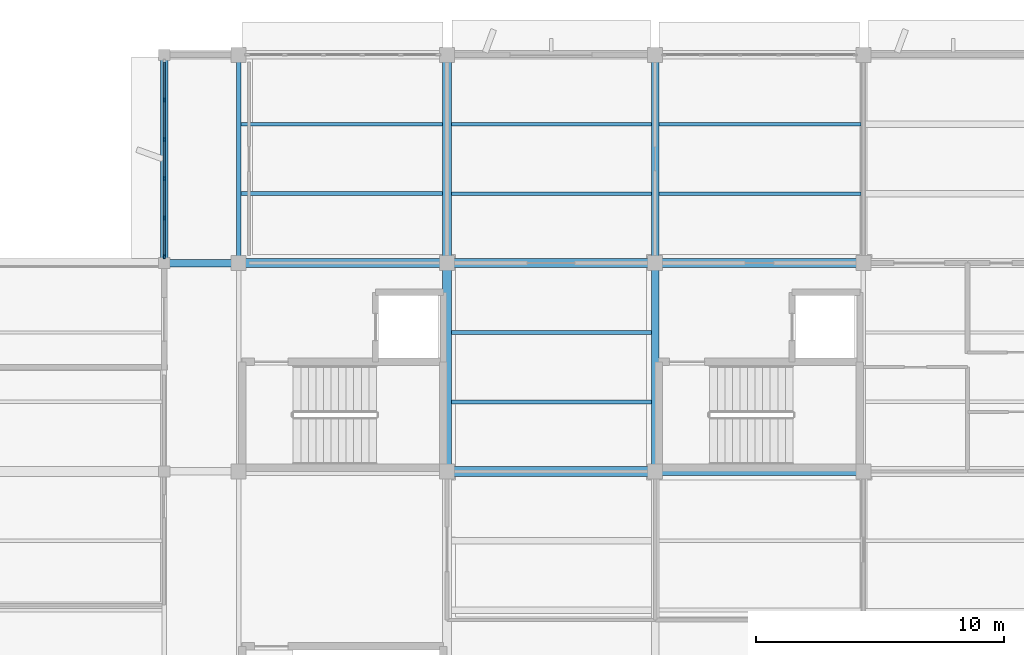
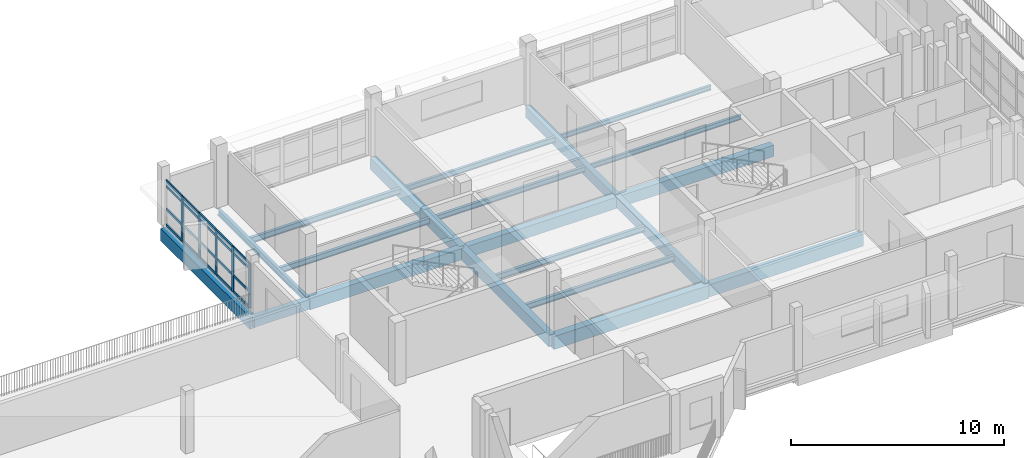
# One storey, part 12 of 42: 25 members, 20 beams, 1 element without a shape of its own.
"""IFC4 building model written with IfcOpenShell, lengths in metres."""

from ifc_helpers import new_model, si_unit, direction, frame, origin, origin_2d, place, context, subcontext, project, spatial, rectangle, i_section, extrude, material, material_profile, profile_set, type_object, element, aggregate, save


model = new_model("IFC4")

# Units and contexts
model_context = context("Model", 3, precision=1e-05, world=origin(), true_north=direction((0.0, 1.0)))
body_context = subcontext(model_context, "Body", "Model", "MODEL_VIEW")
ifc_project = project(units=[si_unit("LENGTHUNIT", "METRE"), si_unit("AREAUNIT", "SQUARE_METRE"), si_unit("VOLUMEUNIT", "CUBIC_METRE"), si_unit("PLANEANGLEUNIT", "RADIAN"), si_unit("MASSUNIT", "GRAM", prefix="KILO")], contexts=[model_context])

# Site, building, storey
site_placement = place(None, origin())
site = spatial("IfcSite", under=ifc_project, at=site_placement, CompositionType="ELEMENT")
building_placement = place(site_placement, origin())
building = spatial("IfcBuilding", under=site, at=building_placement, Name="Vanh Quang Courtyard School", CompositionType="ELEMENT")
storey_placement = place(building_placement, frame((0.0, 0.0, 15.0)))
storey = spatial("IfcBuildingStorey", under=building, at=storey_placement, Name="L04", CompositionType="ELEMENT", Elevation=15.0)

# Beams
ifc_material_1 = material(Name="Concrete C35/45", Category="concrete")
ifc_material_profile_1 = material_profile(ifc_material_1, rectangle(XDim=0.300048828125, YDim=0.550048828125, at=origin_2d()), Name="RC-BM 300x550")
ifc_profile_set_1 = profile_set([ifc_material_profile_1], Name="Concrete C35/45")
beam_type_1 = type_object("IfcBeamType", Name="BM-RC-300x550", PredefinedType="BEAM", material=ifc_profile_set_1)
beam_1_placement = place(storey_placement, frame((74.39990234375, 88.199951171875, -0.594970703125), z_axis=(1.0, 0.0, 0.0), x_axis=(0.0, 1.0, 0.0)))
element("IfcBeam", 1, at=beam_1_placement, inside=storey, type_object=beam_type_1, Name="Beam B-07 (L04)", PredefinedType="BEAM", context=body_context, shape_type="SweptSolid", body=[
    extrude(rectangle(XDim=0.300048828125, YDim=0.550048828125, at=origin_2d()), origin(), (0.0, 0.0, 1.0), 3.0),
])
ifc_material_profile_2 = material_profile(ifc_material_1, rectangle(XDim=0.300048828125, YDim=0.60009765625, at=origin_2d()), Name="RC-BM 300x600")
ifc_profile_set_2 = profile_set([ifc_material_profile_2], Name="Concrete C35/45")
beam_type_2 = type_object("IfcBeamType", Name="BM-RC-300x600", PredefinedType="BEAM", material=ifc_profile_set_2)
beam_2_placement = place(storey_placement, frame((94.199951171875, 79.800048828125, -0.56005859375), z_axis=(0.0, 1.0, 0.0), x_axis=(-1.0, 0.0, 0.0)))
element("IfcBeam", 2, at=beam_2_placement, inside=storey, type_object=beam_type_2, Name="Beam B-06 (L04)", PredefinedType="BEAM", context=body_context, shape_type="SweptSolid", body=[
    extrude(rectangle(XDim=0.300048828125, YDim=0.60009765625, at=origin_2d()), origin(), (0.0, 0.0, 1.0), 8.39990234375),
])
beam_3_placement = place(storey_placement, frame((94.199951171875, 88.199951171875, -0.56005859375), z_axis=(0.0, 1.0, 0.0), x_axis=(-1.0, 0.0, 0.0)))
element("IfcBeam", 3, at=beam_3_placement, inside=storey, type_object=beam_type_2, Name="Beam B-06 (L04)", PredefinedType="BEAM", context=body_context, shape_type="SweptSolid", body=[
    extrude(rectangle(XDim=0.300048828125, YDim=0.60009765625, at=origin_2d()), origin(), (0.0, 0.0, 1.0), 8.400146484375),
])
ifc_material_profile_3 = material_profile(ifc_material_1, rectangle(XDim=0.35009765625, YDim=0.64990234375, at=origin_2d()), Name="RC-BM 350x650")
ifc_profile_set_3 = profile_set([ifc_material_profile_3], Name="Concrete C35/45")
beam_type_3 = type_object("IfcBeamType", Name="BM-RC-350x650", PredefinedType="BEAM", material=ifc_profile_set_3)
beam_4_placement = place(storey_placement, frame((77.39990234375, 88.199951171875, -0.5849609375), z_axis=(1.0, 0.0, 0.0), x_axis=(0.0, 1.0, 0.0)))
element("IfcBeam", 4, at=beam_4_placement, inside=storey, type_object=beam_type_3, Name="Beam B-05 (L04)", PredefinedType="BEAM", context=body_context, shape_type="SweptSolid", body=[
    extrude(rectangle(XDim=0.35009765625, YDim=0.64990234375, at=origin_2d()), origin(), (0.0, 0.0, 1.0), 8.400146484375),
])
beam_5_placement = place(storey_placement, frame((85.800048828125, 88.199951171875, -0.5849609375), z_axis=(1.0, 0.0, 0.0), x_axis=(0.0, 1.0, 0.0)))
element("IfcBeam", 5, at=beam_5_placement, inside=storey, type_object=beam_type_3, Name="Beam B-05 (L04)", PredefinedType="BEAM", context=body_context, shape_type="SweptSolid", body=[
    extrude(rectangle(XDim=0.35009765625, YDim=0.64990234375, at=origin_2d()), origin(), (0.0, 0.0, 1.0), 8.39990234375),
])
beam_6_placement = place(storey_placement, frame((94.199951171875, 88.199951171875, -0.5849609375), z_axis=(1.0, 0.0, 0.0), x_axis=(0.0, 1.0, 0.0)))
element("IfcBeam", 6, at=beam_6_placement, inside=storey, type_object=beam_type_3, Name="Beam B-05 (L04)", PredefinedType="BEAM", context=body_context, shape_type="SweptSolid", body=[
    extrude(rectangle(XDim=0.35009765625, YDim=0.64990234375, at=origin_2d()), origin(), (0.0, 0.0, 1.0), 8.400146484375),
])
beam_7_placement = place(storey_placement, frame((85.800048828125, 79.800048828125, -0.5849609375), z_axis=(0.0, 1.0, 0.0), x_axis=(-1.0, 0.0, 0.0)))
element("IfcBeam", 7, at=beam_7_placement, inside=storey, type_object=beam_type_3, Name="Beam B-05 (L04)", PredefinedType="BEAM", context=body_context, shape_type="SweptSolid", body=[
    extrude(rectangle(XDim=0.35009765625, YDim=0.64990234375, at=origin_2d()), origin(), (0.0, 0.0, 1.0), 8.39990234375),
])
beam_8_placement = place(storey_placement, frame((85.800048828125, 88.199951171875, -0.5849609375), z_axis=(0.0, 1.0, 0.0), x_axis=(-1.0, 0.0, 0.0)))
element("IfcBeam", 8, at=beam_8_placement, inside=storey, type_object=beam_type_3, Name="Beam B-05 (L04)", PredefinedType="BEAM", context=body_context, shape_type="SweptSolid", body=[
    extrude(rectangle(XDim=0.35009765625, YDim=0.64990234375, at=origin_2d()), origin(), (0.0, 0.0, 1.0), 8.400146484375),
])
ifc_material_profile_4 = material_profile(ifc_material_1, rectangle(XDim=0.35009765625, YDim=0.699951171875, at=origin_2d()), Name="RC-BM 350x700")
ifc_profile_set_4 = profile_set([ifc_material_profile_4], Name="Concrete C35/45")
beam_type_4 = type_object("IfcBeamType", Name="BM-RC-350x700", PredefinedType="BEAM", material=ifc_profile_set_4)
beam_9_placement = place(storey_placement, frame((94.199951171875, 79.800048828125, -0.610107421875), z_axis=(1.0, 0.0, 0.0), x_axis=(0.0, 1.0, 0.0)))
element("IfcBeam", 9, at=beam_9_placement, inside=storey, type_object=beam_type_4, Name="Beam B-04 (L04)", PredefinedType="BEAM", context=body_context, shape_type="SweptSolid", body=[
    extrude(rectangle(XDim=0.35009765625, YDim=0.699951171875, at=origin_2d()), origin(), (0.0, 0.0, 1.0), 8.400146484375),
])
ifc_material_profile_5 = material_profile(ifc_material_1, rectangle(XDim=0.39990234375, YDim=0.75, at=origin_2d()), Name="RC-BM 400x750")
ifc_profile_set_5 = profile_set([ifc_material_profile_5], Name="Concrete C35/45")
beam_type_5 = type_object("IfcBeamType", Name="BM-RC-400x750", PredefinedType="BEAM", material=ifc_profile_set_5)
beam_10_placement = place(storey_placement, frame((85.800048828125, 79.800048828125, -0.635009765625), z_axis=(1.0, 0.0, 0.0), x_axis=(0.0, 1.0, 0.0)))
element("IfcBeam", 10, at=beam_10_placement, inside=storey, type_object=beam_type_5, Name="Beam B-03 (L04)", PredefinedType="BEAM", context=body_context, shape_type="SweptSolid", body=[
    extrude(rectangle(XDim=0.39990234375, YDim=0.75, at=origin_2d()), origin(), (0.0, 0.0, 1.0), 8.39990234375),
])
ifc_material_profile_6 = material_profile(ifc_material_1, rectangle(XDim=0.300048828125, YDim=0.699951171875, at=origin_2d()), Name="RC-SP 300x700")
ifc_profile_set_6 = profile_set([ifc_material_profile_6], Name="Concrete C35/45")
beam_type_6 = type_object("IfcBeamType", Name="BM-SP-300x700", PredefinedType="SPANDREL", material=ifc_profile_set_6)
beam_11_placement = place(storey_placement, frame((74.39990234375, 88.199951171875, -0.669921875), z_axis=(0.0, 1.0, 0.0), x_axis=(-1.0, 0.0, 0.0)))
element("IfcBeam", 11, at=beam_11_placement, inside=storey, type_object=beam_type_6, Name="Beam BS-01 (L04)", PredefinedType="SPANDREL", context=body_context, shape_type="SweptSolid", body=[
    extrude(rectangle(XDim=0.300048828125, YDim=0.699951171875, at=origin_2d()), origin(), (0.0, 0.0, 1.0), 8.400146484375),
])
ifc_material_2 = material(Name="Structural steel EN 10025-2 S355J2", Category="steel")
ifc_material_profile_7 = material_profile(ifc_material_2, i_section(OverallWidth=0.169921875, OverallDepth=0.360107421875, WebThickness=0.008056640625, FlangeThickness=0.0126953125, FilletRadius=0.01806640625, at=origin_2d()), Name="IPE 360")
ifc_profile_set_7 = profile_set([ifc_material_profile_7], Name="Structural steel EN 10025-2 S355J2")
beam_type_7 = type_object("IfcBeamType", Name="BM-STL-IPE360", PredefinedType="BEAM", material=ifc_profile_set_7)
beam_12_placement = place(storey_placement, frame((77.39990234375, 88.199951171875, -0.43994140625), z_axis=(0.0, 1.0, 0.0), x_axis=(-1.0, 0.0, 0.0)))
element("IfcBeam", 12, at=beam_12_placement, inside=storey, type_object=beam_type_7, Name="Beam SB-06 (L04)", PredefinedType="BEAM", context=body_context, shape_type="SweptSolid", body=[
    extrude(i_section(OverallWidth=0.169921875, OverallDepth=0.360107421875, WebThickness=0.008056640625, FlangeThickness=0.0126953125, FilletRadius=0.01806640625, at=origin_2d()), origin(), (0.0, 0.0, 1.0), 8.400146484375),
])

# Curtain wall, members
ifc_material_3 = material(Name="Thermally broken aluminium unitised curtain wall", Category="aluminium")
curtain_wall_type = type_object("IfcCurtainWallType", Name="CW-SYS-19", PredefinedType="NOTDEFINED", material=ifc_material_3)
curtain_wall_placement = place(storey_placement, origin())
curtain_wall = element("IfcCurtainWall", 13, at=curtain_wall_placement, inside=storey, type_object=curtain_wall_type, Name="Curtain Wall CW-19 (L04)", PredefinedType="NOTDEFINED")
ifc_material_4 = material(Name="Anodised aluminium 6063-T6", Category="aluminium")
ifc_material_profile_8 = material_profile(ifc_material_4, rectangle(XDim=0.070068359375, YDim=0.179931640625, at=origin_2d()), Name="ALU-MUL 70x180")
ifc_profile_set_8 = profile_set([ifc_material_profile_8], Name="Anodised aluminium 6063-T6")
member_type_1 = type_object("IfcMemberType", Name="CW-MUL-70x180", PredefinedType="MULLION", material=ifc_profile_set_8)
member_1_placement = place(storey_placement, frame((74.39990234375, 88.468017578125, 0.0), z_axis=(0.0, 0.0, 1.0), x_axis=(-1.0, 0.0, 0.0)))
member_1 = element("IfcMember", 14, at=member_1_placement, type_object=member_type_1, Name="CW-19 mullion 1", PredefinedType="MULLION", context=body_context, shape_type="SweptSolid", body=[
    extrude(rectangle(XDim=0.070068359375, YDim=0.179931640625, at=origin_2d()), origin(), (0.0, 0.0, 1.0), 2.580078125),
])
member_2_placement = place(storey_placement, frame((74.39990234375, 90.019775390625, 0.0), z_axis=(0.0, 0.0, 1.0), x_axis=(-1.0, 0.0, 0.0)))
member_2 = element("IfcMember", 15, at=member_2_placement, type_object=member_type_1, Name="CW-19 mullion 2", PredefinedType="MULLION", context=body_context, shape_type="SweptSolid", body=[
    extrude(rectangle(XDim=0.070068359375, YDim=0.179931640625, at=origin_2d()), origin(), (0.0, 0.0, 1.0), 2.580078125),
])
member_3_placement = place(storey_placement, frame((74.39990234375, 91.606689453125, 0.0), z_axis=(0.0, 0.0, 1.0), x_axis=(-1.0, 0.0, 0.0)))
member_3 = element("IfcMember", 16, at=member_3_placement, type_object=member_type_1, Name="CW-19 mullion 3", PredefinedType="MULLION", context=body_context, shape_type="SweptSolid", body=[
    extrude(rectangle(XDim=0.070068359375, YDim=0.179931640625, at=origin_2d()), origin(), (0.0, 0.0, 1.0), 2.580078125),
])
member_4_placement = place(storey_placement, frame((74.39990234375, 93.193359375, 0.0), z_axis=(0.0, 0.0, 1.0), x_axis=(-1.0, 0.0, 0.0)))
member_4 = element("IfcMember", 17, at=member_4_placement, type_object=member_type_1, Name="CW-19 mullion 4", PredefinedType="MULLION", context=body_context, shape_type="SweptSolid", body=[
    extrude(rectangle(XDim=0.070068359375, YDim=0.179931640625, at=origin_2d()), origin(), (0.0, 0.0, 1.0), 2.580078125),
])
member_5_placement = place(storey_placement, frame((74.39990234375, 94.7802734375, 0.0), z_axis=(0.0, 0.0, 1.0), x_axis=(-1.0, 0.0, 0.0)))
member_5 = element("IfcMember", 18, at=member_5_placement, type_object=member_type_1, Name="CW-19 mullion 5", PredefinedType="MULLION", context=body_context, shape_type="SweptSolid", body=[
    extrude(rectangle(XDim=0.070068359375, YDim=0.179931640625, at=origin_2d()), origin(), (0.0, 0.0, 1.0), 2.580078125),
])
ifc_material_profile_9 = material_profile(ifc_material_4, rectangle(XDim=0.070068359375, YDim=0.139892578125, at=origin_2d()), Name="ALU-TRN 70x140")
ifc_profile_set_9 = profile_set([ifc_material_profile_9], Name="Anodised aluminium 6063-T6")
member_type_2 = type_object("IfcMemberType", Name="CW-TRN-70x140", PredefinedType="USERDEFINED", material=ifc_profile_set_9)
member_6_placement = place(storey_placement, frame((74.39990234375, 88.5029296875, 0.034912109375), z_axis=(0.0, 1.0, 0.0), x_axis=(-1.0, 0.0, 0.0)))
member_6 = element("IfcMember", 19, at=member_6_placement, type_object=member_type_2, Name="CW-19 transom 1.1", ObjectType="TRANSOM", PredefinedType="USERDEFINED", context=body_context, shape_type="SweptSolid", body=[
    extrude(rectangle(XDim=0.070068359375, YDim=0.139892578125, at=origin_2d()), origin(), (0.0, 0.0, 1.0), 1.48193359375),
])
member_7_placement = place(storey_placement, frame((74.39990234375, 88.5029296875, 0.949951171875), z_axis=(0.0, 1.0, 0.0), x_axis=(-1.0, 0.0, 0.0)))
member_7 = element("IfcMember", 20, at=member_7_placement, type_object=member_type_2, Name="CW-19 transom 1.2", ObjectType="TRANSOM", PredefinedType="USERDEFINED", context=body_context, shape_type="SweptSolid", body=[
    extrude(rectangle(XDim=0.070068359375, YDim=0.139892578125, at=origin_2d()), origin(), (0.0, 0.0, 1.0), 1.48193359375),
])
member_8_placement = place(storey_placement, frame((74.39990234375, 88.5029296875, 2.25), z_axis=(0.0, 1.0, 0.0), x_axis=(-1.0, 0.0, 0.0)))
member_8 = element("IfcMember", 21, at=member_8_placement, type_object=member_type_2, Name="CW-19 transom 1.3", ObjectType="TRANSOM", PredefinedType="USERDEFINED", context=body_context, shape_type="SweptSolid", body=[
    extrude(rectangle(XDim=0.070068359375, YDim=0.139892578125, at=origin_2d()), origin(), (0.0, 0.0, 1.0), 1.48193359375),
])
member_9_placement = place(storey_placement, frame((74.39990234375, 88.5029296875, 2.544921875), z_axis=(0.0, 1.0, 0.0), x_axis=(-1.0, 0.0, 0.0)))
member_9 = element("IfcMember", 22, at=member_9_placement, type_object=member_type_2, Name="CW-19 transom 1.4", ObjectType="TRANSOM", PredefinedType="USERDEFINED", context=body_context, shape_type="SweptSolid", body=[
    extrude(rectangle(XDim=0.070068359375, YDim=0.139892578125, at=origin_2d()), origin(), (0.0, 0.0, 1.0), 1.48193359375),
])
member_10_placement = place(storey_placement, frame((74.39990234375, 90.0546875, 0.034912109375), z_axis=(0.0, 1.0, 0.0), x_axis=(-1.0, 0.0, 0.0)))
member_10 = element("IfcMember", 23, at=member_10_placement, type_object=member_type_2, Name="CW-19 transom 2.1", ObjectType="TRANSOM", PredefinedType="USERDEFINED", context=body_context, shape_type="SweptSolid", body=[
    extrude(rectangle(XDim=0.070068359375, YDim=0.139892578125, at=origin_2d()), origin(), (0.0, 0.0, 1.0), 1.516845703125),
])
member_11_placement = place(storey_placement, frame((74.39990234375, 90.0546875, 0.949951171875), z_axis=(0.0, 1.0, 0.0), x_axis=(-1.0, 0.0, 0.0)))
member_11 = element("IfcMember", 24, at=member_11_placement, type_object=member_type_2, Name="CW-19 transom 2.2", ObjectType="TRANSOM", PredefinedType="USERDEFINED", context=body_context, shape_type="SweptSolid", body=[
    extrude(rectangle(XDim=0.070068359375, YDim=0.139892578125, at=origin_2d()), origin(), (0.0, 0.0, 1.0), 1.516845703125),
])
member_12_placement = place(storey_placement, frame((74.39990234375, 90.0546875, 2.25), z_axis=(0.0, 1.0, 0.0), x_axis=(-1.0, 0.0, 0.0)))
member_12 = element("IfcMember", 25, at=member_12_placement, type_object=member_type_2, Name="CW-19 transom 2.3", ObjectType="TRANSOM", PredefinedType="USERDEFINED", context=body_context, shape_type="SweptSolid", body=[
    extrude(rectangle(XDim=0.070068359375, YDim=0.139892578125, at=origin_2d()), origin(), (0.0, 0.0, 1.0), 1.516845703125),
])
member_13_placement = place(storey_placement, frame((74.39990234375, 90.0546875, 2.544921875), z_axis=(0.0, 1.0, 0.0), x_axis=(-1.0, 0.0, 0.0)))
member_13 = element("IfcMember", 26, at=member_13_placement, type_object=member_type_2, Name="CW-19 transom 2.4", ObjectType="TRANSOM", PredefinedType="USERDEFINED", context=body_context, shape_type="SweptSolid", body=[
    extrude(rectangle(XDim=0.070068359375, YDim=0.139892578125, at=origin_2d()), origin(), (0.0, 0.0, 1.0), 1.516845703125),
])
member_14_placement = place(storey_placement, frame((74.39990234375, 91.6416015625, 0.034912109375), z_axis=(0.0, 1.0, 0.0), x_axis=(-1.0, 0.0, 0.0)))
member_14 = element("IfcMember", 27, at=member_14_placement, type_object=member_type_2, Name="CW-19 transom 3.1", ObjectType="TRANSOM", PredefinedType="USERDEFINED", context=body_context, shape_type="SweptSolid", body=[
    extrude(rectangle(XDim=0.070068359375, YDim=0.139892578125, at=origin_2d()), origin(), (0.0, 0.0, 1.0), 1.516845703125),
])
member_15_placement = place(storey_placement, frame((74.39990234375, 91.6416015625, 0.949951171875), z_axis=(0.0, 1.0, 0.0), x_axis=(-1.0, 0.0, 0.0)))
member_15 = element("IfcMember", 28, at=member_15_placement, type_object=member_type_2, Name="CW-19 transom 3.2", ObjectType="TRANSOM", PredefinedType="USERDEFINED", context=body_context, shape_type="SweptSolid", body=[
    extrude(rectangle(XDim=0.070068359375, YDim=0.139892578125, at=origin_2d()), origin(), (0.0, 0.0, 1.0), 1.516845703125),
])
member_16_placement = place(storey_placement, frame((74.39990234375, 91.6416015625, 2.25), z_axis=(0.0, 1.0, 0.0), x_axis=(-1.0, 0.0, 0.0)))
member_16 = element("IfcMember", 29, at=member_16_placement, type_object=member_type_2, Name="CW-19 transom 3.3", ObjectType="TRANSOM", PredefinedType="USERDEFINED", context=body_context, shape_type="SweptSolid", body=[
    extrude(rectangle(XDim=0.070068359375, YDim=0.139892578125, at=origin_2d()), origin(), (0.0, 0.0, 1.0), 1.516845703125),
])
member_17_placement = place(storey_placement, frame((74.39990234375, 91.6416015625, 2.544921875), z_axis=(0.0, 1.0, 0.0), x_axis=(-1.0, 0.0, 0.0)))
member_17 = element("IfcMember", 30, at=member_17_placement, type_object=member_type_2, Name="CW-19 transom 3.4", ObjectType="TRANSOM", PredefinedType="USERDEFINED", context=body_context, shape_type="SweptSolid", body=[
    extrude(rectangle(XDim=0.070068359375, YDim=0.139892578125, at=origin_2d()), origin(), (0.0, 0.0, 1.0), 1.516845703125),
])
member_18_placement = place(storey_placement, frame((74.39990234375, 93.228515625, 0.034912109375), z_axis=(0.0, 1.0, 0.0), x_axis=(-1.0, 0.0, 0.0)))
member_18 = element("IfcMember", 31, at=member_18_placement, type_object=member_type_2, Name="CW-19 transom 4.1", ObjectType="TRANSOM", PredefinedType="USERDEFINED", context=body_context, shape_type="SweptSolid", body=[
    extrude(rectangle(XDim=0.070068359375, YDim=0.139892578125, at=origin_2d()), origin(), (0.0, 0.0, 1.0), 1.5166015625),
])
member_19_placement = place(storey_placement, frame((74.39990234375, 93.228515625, 0.949951171875), z_axis=(0.0, 1.0, 0.0), x_axis=(-1.0, 0.0, 0.0)))
member_19 = element("IfcMember", 32, at=member_19_placement, type_object=member_type_2, Name="CW-19 transom 4.2", ObjectType="TRANSOM", PredefinedType="USERDEFINED", context=body_context, shape_type="SweptSolid", body=[
    extrude(rectangle(XDim=0.070068359375, YDim=0.139892578125, at=origin_2d()), origin(), (0.0, 0.0, 1.0), 1.5166015625),
])
member_20_placement = place(storey_placement, frame((74.39990234375, 93.228515625, 2.25), z_axis=(0.0, 1.0, 0.0), x_axis=(-1.0, 0.0, 0.0)))
member_20 = element("IfcMember", 33, at=member_20_placement, type_object=member_type_2, Name="CW-19 transom 4.3", ObjectType="TRANSOM", PredefinedType="USERDEFINED", context=body_context, shape_type="SweptSolid", body=[
    extrude(rectangle(XDim=0.070068359375, YDim=0.139892578125, at=origin_2d()), origin(), (0.0, 0.0, 1.0), 1.5166015625),
])
member_21_placement = place(storey_placement, frame((74.39990234375, 93.228515625, 2.544921875), z_axis=(0.0, 1.0, 0.0), x_axis=(-1.0, 0.0, 0.0)))
member_21 = element("IfcMember", 34, at=member_21_placement, type_object=member_type_2, Name="CW-19 transom 4.4", ObjectType="TRANSOM", PredefinedType="USERDEFINED", context=body_context, shape_type="SweptSolid", body=[
    extrude(rectangle(XDim=0.070068359375, YDim=0.139892578125, at=origin_2d()), origin(), (0.0, 0.0, 1.0), 1.5166015625),
])
member_22_placement = place(storey_placement, frame((74.39990234375, 94.815185546875, 0.034912109375), z_axis=(0.0, 1.0, 0.0), x_axis=(-1.0, 0.0, 0.0)))
member_22 = element("IfcMember", 35, at=member_22_placement, type_object=member_type_2, Name="CW-19 transom 5.1", ObjectType="TRANSOM", PredefinedType="USERDEFINED", context=body_context, shape_type="SweptSolid", body=[
    extrude(rectangle(XDim=0.070068359375, YDim=0.139892578125, at=origin_2d()), origin(), (0.0, 0.0, 1.0), 1.48193359375),
])
member_23_placement = place(storey_placement, frame((74.39990234375, 94.815185546875, 0.949951171875), z_axis=(0.0, 1.0, 0.0), x_axis=(-1.0, 0.0, 0.0)))
member_23 = element("IfcMember", 36, at=member_23_placement, type_object=member_type_2, Name="CW-19 transom 5.2", ObjectType="TRANSOM", PredefinedType="USERDEFINED", context=body_context, shape_type="SweptSolid", body=[
    extrude(rectangle(XDim=0.070068359375, YDim=0.139892578125, at=origin_2d()), origin(), (0.0, 0.0, 1.0), 1.48193359375),
])
member_24_placement = place(storey_placement, frame((74.39990234375, 94.815185546875, 2.25), z_axis=(0.0, 1.0, 0.0), x_axis=(-1.0, 0.0, 0.0)))
member_24 = element("IfcMember", 37, at=member_24_placement, type_object=member_type_2, Name="CW-19 transom 5.3", ObjectType="TRANSOM", PredefinedType="USERDEFINED", context=body_context, shape_type="SweptSolid", body=[
    extrude(rectangle(XDim=0.070068359375, YDim=0.139892578125, at=origin_2d()), origin(), (0.0, 0.0, 1.0), 1.48193359375),
])
member_25_placement = place(storey_placement, frame((74.39990234375, 94.815185546875, 2.544921875), z_axis=(0.0, 1.0, 0.0), x_axis=(-1.0, 0.0, 0.0)))
member_25 = element("IfcMember", 38, at=member_25_placement, type_object=member_type_2, Name="CW-19 transom 5.4", ObjectType="TRANSOM", PredefinedType="USERDEFINED", context=body_context, shape_type="SweptSolid", body=[
    extrude(rectangle(XDim=0.070068359375, YDim=0.139892578125, at=origin_2d()), origin(), (0.0, 0.0, 1.0), 1.48193359375),
])
aggregate(curtain_wall, [member_1, member_2, member_3, member_4, member_5, member_6, member_7, member_8, member_9, member_10, member_11, member_12, member_13, member_14, member_15, member_16, member_17, member_18, member_19, member_20, member_21, member_22, member_23, member_24, member_25])

# Beams
ifc_material_profile_10 = material_profile(ifc_material_2, i_section(OverallWidth=0.135009765625, OverallDepth=0.27001953125, WebThickness=0.006591796875, FlangeThickness=0.01025390625, FilletRadius=0.014892578125, at=origin_2d()), Name="IPE 270")
ifc_profile_set_10 = profile_set([ifc_material_profile_10], Name="Structural steel EN 10025-2 S355J2")
beam_type_8 = type_object("IfcBeamType", Name="JST-STL-IPE270", PredefinedType="JOIST", material=ifc_profile_set_10)
for number, where, z_axis, x_axis, name in (
    (39, (94.35009765625, 91.0, -0.39501953125), (1.0, 0.0, 0.0), (0.0, 1.0, 0.0), "Beam SJ-03 (L04)"),
    (40, (94.35009765625, 93.800048828125, -0.39501953125), (1.0, 0.0, 0.0), (0.0, 1.0, 0.0), "Beam SJ-03 (L04)"),
):
    element("IfcBeam", number, at=place(storey_placement, frame(where, z_axis=z_axis, x_axis=x_axis)), inside=storey, type_object=beam_type_8, Name=name, PredefinedType="JOIST", context=body_context, shape_type="SweptSolid", body=[
        extrude(i_section(OverallWidth=0.135009765625, OverallDepth=0.27001953125, WebThickness=0.006591796875, FlangeThickness=0.01025390625, FilletRadius=0.014892578125, at=origin_2d()), origin(), (0.0, 0.0, 1.0), 8.159912109375),
    ])
ifc_material_profile_11 = material_profile(ifc_material_2, i_section(OverallWidth=0.14990234375, OverallDepth=0.300048828125, WebThickness=0.007080078125, FlangeThickness=0.0107421875, FilletRadius=0.014892578125, at=origin_2d()), Name="IPE 300")
ifc_profile_set_11 = profile_set([ifc_material_profile_11], Name="Structural steel EN 10025-2 S355J2")
beam_type_9 = type_object("IfcBeamType", Name="JST-STL-IPE300", PredefinedType="JOIST", material=ifc_profile_set_11)
for number, where, z_axis, x_axis, name in (
    (41, (85.97509765625, 91.0, -0.409912109375), (1.0, 0.0, 0.0), (0.0, 1.0, 0.0), "Beam SJ-02 (L04)"),
    (42, (85.97509765625, 93.800048828125, -0.409912109375), (1.0, 0.0, 0.0), (0.0, 1.0, 0.0), "Beam SJ-02 (L04)"),
):
    element("IfcBeam", number, at=place(storey_placement, frame(where, z_axis=z_axis, x_axis=x_axis)), inside=storey, type_object=beam_type_9, Name=name, PredefinedType="JOIST", context=body_context, shape_type="SweptSolid", body=[
        extrude(i_section(OverallWidth=0.14990234375, OverallDepth=0.300048828125, WebThickness=0.007080078125, FlangeThickness=0.0107421875, FilletRadius=0.014892578125, at=origin_2d()), origin(), (0.0, 0.0, 1.0), 8.074951171875),
    ])
ifc_material_profile_12 = material_profile(ifc_material_2, i_section(OverallWidth=0.159912109375, OverallDepth=0.330078125, WebThickness=0.007568359375, FlangeThickness=0.011474609375, FilletRadius=0.01806640625, at=origin_2d()), Name="IPE 330")
ifc_profile_set_12 = profile_set([ifc_material_profile_12], Name="Structural steel EN 10025-2 S355J2")
beam_type_10 = type_object("IfcBeamType", Name="JST-STL-IPE330", PredefinedType="JOIST", material=ifc_profile_set_12)
for number, where, z_axis, x_axis, name in (
    (43, (77.485107421875, 91.0, -0.425048828125), (1.0, 0.0, 0.0), (0.0, 1.0, 0.0), "Beam SJ-01 (L04)"),
    (44, (77.485107421875, 93.800048828125, -0.425048828125), (1.0, 0.0, 0.0), (0.0, 1.0, 0.0), "Beam SJ-01 (L04)"),
):
    element("IfcBeam", number, at=place(storey_placement, frame(where, z_axis=z_axis, x_axis=x_axis)), inside=storey, type_object=beam_type_10, Name=name, PredefinedType="JOIST", context=body_context, shape_type="SweptSolid", body=[
        extrude(i_section(OverallWidth=0.159912109375, OverallDepth=0.330078125, WebThickness=0.007568359375, FlangeThickness=0.011474609375, FilletRadius=0.01806640625, at=origin_2d()), origin(), (0.0, 0.0, 1.0), 8.139892578125),
    ])
for number, where, z_axis, x_axis, name in (
    (45, (85.97509765625, 82.60009765625, -0.425048828125), (1.0, 0.0, 0.0), (0.0, 1.0, 0.0), "Beam SJ-01 (L04)"),
    (46, (85.97509765625, 85.39990234375, -0.425048828125), (1.0, 0.0, 0.0), (0.0, 1.0, 0.0), "Beam SJ-01 (L04)"),
):
    element("IfcBeam", number, at=place(storey_placement, frame(where, z_axis=z_axis, x_axis=x_axis)), inside=storey, type_object=beam_type_10, Name=name, PredefinedType="JOIST", context=body_context, shape_type="SweptSolid", body=[
        extrude(i_section(OverallWidth=0.159912109375, OverallDepth=0.330078125, WebThickness=0.007568359375, FlangeThickness=0.011474609375, FilletRadius=0.01806640625, at=origin_2d()), origin(), (0.0, 0.0, 1.0), 8.074951171875),
    ])

save(model, "model.ifc")
